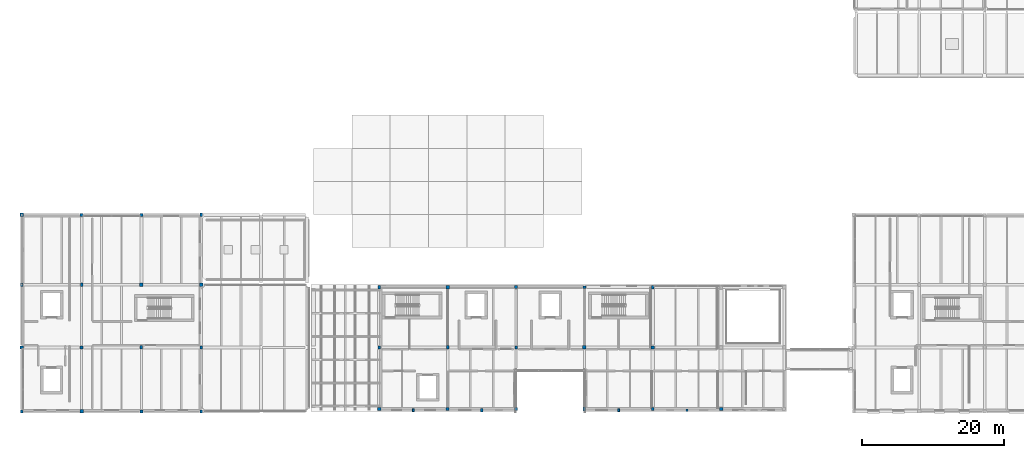
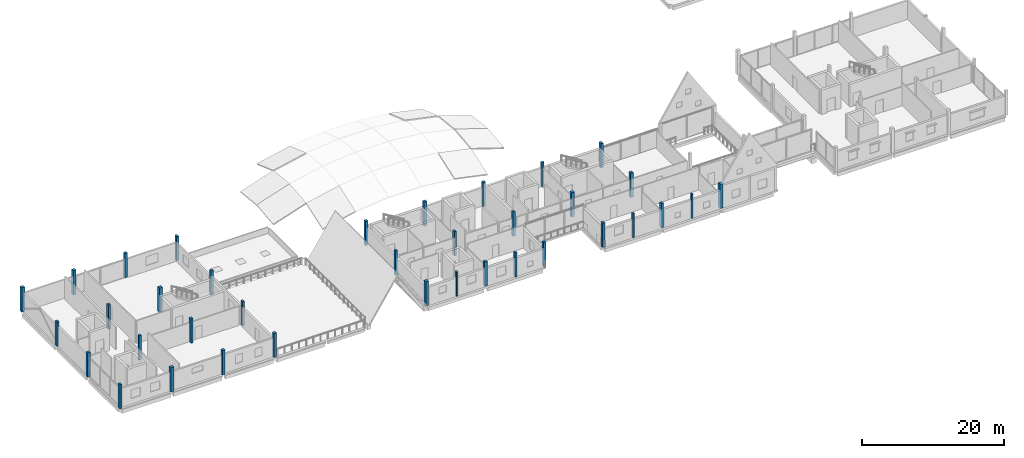
# One storey, part 1 of 35: 36 columns.
"""IFC4 building model written with IfcOpenShell, lengths in metres."""

from ifc_helpers import new_model, si_unit, direction, frame, origin, origin_2d, place, context, subcontext, project, spatial, rectangle, extrude, material, material_profile, profile_set, type_object, element, save


model = new_model("IFC4")

# Units and contexts
model_context = context("Model", 3, precision=1e-05, world=origin(), true_north=direction((0.0, 1.0)))
body_context = subcontext(model_context, "Body", "Model", "MODEL_VIEW")
ifc_project = project(units=[si_unit("LENGTHUNIT", "METRE"), si_unit("AREAUNIT", "SQUARE_METRE"), si_unit("VOLUMEUNIT", "CUBIC_METRE"), si_unit("PLANEANGLEUNIT", "RADIAN"), si_unit("MASSUNIT", "GRAM", prefix="KILO")], contexts=[model_context])

# Site, building, storey
site_placement = place(None, origin())
site = spatial("IfcSite", under=ifc_project, at=site_placement, CompositionType="ELEMENT")
building_placement = place(site_placement, origin())
building = spatial("IfcBuilding", under=site, at=building_placement, Name="Birchvale Park Specialist Clinic", CompositionType="ELEMENT")
storey_placement = place(building_placement, frame((0.0, 0.0, 13.800048828125)))
storey = spatial("IfcBuildingStorey", under=building, at=storey_placement, Name="L03", CompositionType="ELEMENT", Elevation=13.800048828125)

# Columns
ifc_material = material(Name="Concrete C40/50", Category="concrete")
ifc_material_profile_1 = material_profile(ifc_material, rectangle(XDim=0.47998046875, YDim=0.47998046875, at=origin_2d()), Name="RC-480x480")
ifc_profile_set_1 = profile_set([ifc_material_profile_1], Name="Concrete C40/50")
column_type_1 = type_object("IfcColumnType", Name="COL-EXT-C05", PredefinedType="COLUMN", material=ifc_profile_set_1)
for number, where, z_axis, x_axis, name in (
    (1, (61.39990234375, 17.14990234375, 0.0), (0.0, 0.0, 1.0), (1.0, 0.0, 0.0), "V4 L03 column 1"),
    (2, (71.0, 34.25, 0.0), (0.0, 0.0, 1.0), (1.0, 0.0, 0.0), "V4 L03 column 6"),
    (3, (109.39990234375, 17.14990234375, 0.0), (0.0, 0.0, 1.0), (1.0, 0.0, 0.0), "V4 L03 column 16"),
):
    element("IfcColumn", number, at=place(storey_placement, frame(where, z_axis=z_axis, x_axis=x_axis)), inside=storey, type_object=column_type_1, Name=name, PredefinedType="COLUMN", context=body_context, shape_type="SweptSolid", body=[
        extrude(rectangle(XDim=0.47998046875, YDim=0.47998046875, at=origin_2d()), origin(), (0.0, 0.0, 1.0), 4.199951171875),
    ])
ifc_material_profile_2 = material_profile(ifc_material, rectangle(XDim=0.429931640625, YDim=0.429931640625, at=origin_2d()), Name="RC-430x430")
ifc_profile_set_2 = profile_set([ifc_material_profile_2], Name="Concrete C40/50")
column_type_2 = type_object("IfcColumnType", Name="COL-EXT-C06", PredefinedType="COLUMN", material=ifc_profile_set_2)
for number, where, z_axis, x_axis, name in (
    (4, (71.0, 17.14990234375, 0.0), (0.0, 0.0, 1.0), (1.0, 0.0, 0.0), "V4 L03 column 4"),
    (5, (80.60009765625, 34.25, 0.0), (0.0, 0.0, 1.0), (1.0, 0.0, 0.0), "V4 L03 column 9"),
):
    element("IfcColumn", number, at=place(storey_placement, frame(where, z_axis=z_axis, x_axis=x_axis)), inside=storey, type_object=column_type_2, Name=name, PredefinedType="COLUMN", context=body_context, shape_type="SweptSolid", body=[
        extrude(rectangle(XDim=0.429931640625, YDim=0.429931640625, at=origin_2d()), origin(), (0.0, 0.0, 1.0), 4.199951171875),
    ])
ifc_material_profile_3 = material_profile(ifc_material, rectangle(XDim=0.3798828125, YDim=0.3798828125, at=origin_2d()), Name="RC-380x380")
ifc_profile_set_3 = profile_set([ifc_material_profile_3], Name="Concrete C40/50")
column_type_3 = type_object("IfcColumnType", Name="COL-EXT-C07", PredefinedType="COLUMN", material=ifc_profile_set_3)
for number, where, z_axis, x_axis, name in (
    (6, (80.60009765625, 17.14990234375, 0.0), (0.0, 0.0, 1.0), (1.0, 0.0, 0.0), "V4 L03 column 7"),
    (7, (90.199951171875, 34.25, 0.0), (0.0, 0.0, 1.0), (1.0, 0.0, 0.0), "V4 L03 column 12"),
):
    element("IfcColumn", number, at=place(storey_placement, frame(where, z_axis=z_axis, x_axis=x_axis)), inside=storey, type_object=column_type_3, Name=name, PredefinedType="COLUMN", context=body_context, shape_type="SweptSolid", body=[
        extrude(rectangle(XDim=0.3798828125, YDim=0.3798828125, at=origin_2d()), origin(), (0.0, 0.0, 1.0), 4.199951171875),
    ])
ifc_material_profile_4 = material_profile(ifc_material, rectangle(XDim=0.3701171875, YDim=0.52001953125, at=origin_2d()), Name="RC-370x520")
ifc_profile_set_4 = profile_set([ifc_material_profile_4], Name="Concrete C40/50")
column_type_4 = type_object("IfcColumnType", Name="COL-EXT-C11", PredefinedType="COLUMN", material=ifc_profile_set_4)
for number, where, z_axis, x_axis, name in (
    (8, (90.199951171875, 17.14990234375, 0.0), (0.0, 0.0, 1.0), (1.0, 0.0, 0.0), "V4 L03 column 10"),
    (9, (99.800048828125, 34.25, 0.0), (0.0, 0.0, 1.0), (1.0, 0.0, 0.0), "V4 L03 column 15"),
):
    element("IfcColumn", number, at=place(storey_placement, frame(where, z_axis=z_axis, x_axis=x_axis)), inside=storey, type_object=column_type_4, Name=name, PredefinedType="COLUMN", context=body_context, shape_type="SweptSolid", body=[
        extrude(rectangle(XDim=0.3701171875, YDim=0.52001953125, at=origin_2d()), origin(), (0.0, 0.0, 1.0), 4.199951171875),
    ])
ifc_material_profile_5 = material_profile(ifc_material, rectangle(XDim=0.3701171875, YDim=0.47998046875, at=origin_2d()), Name="RC-370x480")
ifc_profile_set_5 = profile_set([ifc_material_profile_5], Name="Concrete C40/50")
column_type_5 = type_object("IfcColumnType", Name="COL-EXT-C12", PredefinedType="COLUMN", material=ifc_profile_set_5)
for number, where, z_axis, x_axis, name in (
    (10, (61.39990234375, 34.25, 0.0), (0.0, 0.0, 1.0), (1.0, 0.0, 0.0), "V4 L03 column 3"),
    (11, (99.800048828125, 17.14990234375, 0.0), (0.0, 0.0, 1.0), (1.0, 0.0, 0.0), "V4 L03 column 13"),
):
    element("IfcColumn", number, at=place(storey_placement, frame(where, z_axis=z_axis, x_axis=x_axis)), inside=storey, type_object=column_type_5, Name=name, PredefinedType="COLUMN", context=body_context, shape_type="SweptSolid", body=[
        extrude(rectangle(XDim=0.3701171875, YDim=0.47998046875, at=origin_2d()), origin(), (0.0, 0.0, 1.0), 4.199951171875),
    ])
ifc_material_profile_6 = material_profile(ifc_material, rectangle(XDim=0.5, YDim=0.5, at=origin_2d()), Name="RC-500x500")
ifc_profile_set_6 = profile_set([ifc_material_profile_6], Name="Concrete C40/50")
column_type_6 = type_object("IfcColumnType", Name="COL-INT-C05", PredefinedType="COLUMN", material=ifc_profile_set_6)
for number, where, z_axis, x_axis, name in (
    (12, (11.199951171875, 44.39990234375, 0.0), (0.0, 0.0, 1.0), (1.0, 0.0, 0.0), "V2 L03 column 4"),
    (13, (19.60009765625, 16.800048828125, 0.0), (0.0, 0.0, 1.0), (1.0, 0.0, 0.0), "V2 L03 column 5"),
    (14, (28.0, 34.60009765625, 0.0), (0.0, 0.0, 1.0), (1.0, 0.0, 0.0), "V2 L03 column 11"),
    (15, (90.199951171875, 25.800048828125, 0.0), (0.0, 0.0, 1.0), (1.0, 0.0, 0.0), "V4 L03 column 11"),
):
    element("IfcColumn", number, at=place(storey_placement, frame(where, z_axis=z_axis, x_axis=x_axis)), inside=storey, type_object=column_type_6, Name=name, PredefinedType="COLUMN", context=body_context, shape_type="SweptSolid", body=[
        extrude(rectangle(XDim=0.5, YDim=0.5, at=origin_2d()), origin(), (0.0, 0.0, 1.0), 4.199951171875),
    ])
ifc_material_profile_7 = material_profile(ifc_material, rectangle(XDim=0.449951171875, YDim=0.449951171875, at=origin_2d()), Name="RC-450x450")
ifc_profile_set_7 = profile_set([ifc_material_profile_7], Name="Concrete C40/50")
column_type_7 = type_object("IfcColumnType", Name="COL-INT-C06", PredefinedType="COLUMN", material=ifc_profile_set_7)
for number, where, z_axis, x_axis, name in (
    (16, (11.199951171875, 25.800048828125, 0.0), (0.0, 0.0, 1.0), (1.0, 0.0, 0.0), "V2 L03 column 2"),
    (17, (19.60009765625, 44.39990234375, 0.0), (0.0, 0.0, 1.0), (1.0, 0.0, 0.0), "V2 L03 column 8"),
    (18, (28.0, 16.800048828125, 0.0), (0.0, 0.0, 1.0), (1.0, 0.0, 0.0), "V2 L03 column 9"),
    (19, (36.39990234375, 34.60009765625, 0.0), (0.0, 0.0, 1.0), (1.0, 0.0, 0.0), "V2 L03 column 15"),
    (20, (99.800048828125, 25.800048828125, 0.0), (0.0, 0.0, 1.0), (1.0, 0.0, 0.0), "V4 L03 column 14"),
):
    element("IfcColumn", number, at=place(storey_placement, frame(where, z_axis=z_axis, x_axis=x_axis)), inside=storey, type_object=column_type_7, Name=name, PredefinedType="COLUMN", context=body_context, shape_type="SweptSolid", body=[
        extrude(rectangle(XDim=0.449951171875, YDim=0.449951171875, at=origin_2d()), origin(), (0.0, 0.0, 1.0), 4.199951171875),
    ])
ifc_material_profile_8 = material_profile(ifc_material, rectangle(XDim=0.39990234375, YDim=0.39990234375, at=origin_2d()), Name="RC-400x400")
ifc_profile_set_8 = profile_set([ifc_material_profile_8], Name="Concrete C40/50")
column_type_8 = type_object("IfcColumnType", Name="COL-INT-C07", PredefinedType="COLUMN", material=ifc_profile_set_8)
for number, where, z_axis, x_axis, name in (
    (21, (19.60009765625, 25.800048828125, 0.0), (0.0, 0.0, 1.0), (1.0, 0.0, 0.0), "V2 L03 column 6"),
    (22, (28.0, 44.39990234375, 0.0), (0.0, 0.0, 1.0), (1.0, 0.0, 0.0), "V2 L03 column 12"),
    (23, (36.39990234375, 16.800048828125, 0.0), (0.0, 0.0, 1.0), (1.0, 0.0, 0.0), "V2 L03 column 13"),
    (24, (61.39990234375, 25.800048828125, 0.0), (0.0, 0.0, 1.0), (1.0, 0.0, 0.0), "V4 L03 column 2"),
):
    element("IfcColumn", number, at=place(storey_placement, frame(where, z_axis=z_axis, x_axis=x_axis)), inside=storey, type_object=column_type_8, Name=name, PredefinedType="COLUMN", context=body_context, shape_type="SweptSolid", body=[
        extrude(rectangle(XDim=0.39990234375, YDim=0.39990234375, at=origin_2d()), origin(), (0.0, 0.0, 1.0), 4.199951171875),
    ])
ifc_material_profile_9 = material_profile(ifc_material, rectangle(XDim=0.35009765625, YDim=0.5, at=origin_2d()), Name="RC-350x500")
ifc_profile_set_9 = profile_set([ifc_material_profile_9], Name="Concrete C40/50")
column_type_9 = type_object("IfcColumnType", Name="COL-INT-C11", PredefinedType="COLUMN", material=ifc_profile_set_9)
for number, where, z_axis, x_axis, name in (
    (25, (11.199951171875, 34.60009765625, 0.0), (0.0, 0.0, 1.0), (1.0, 0.0, 0.0), "V2 L03 column 3"),
    (26, (28.0, 25.800048828125, 0.0), (0.0, 0.0, 1.0), (1.0, 0.0, 0.0), "V2 L03 column 10"),
    (27, (36.39990234375, 44.39990234375, 0.0), (0.0, 0.0, 1.0), (1.0, 0.0, 0.0), "V2 L03 column 16"),
    (28, (71.0, 25.800048828125, 0.0), (0.0, 0.0, 1.0), (1.0, 0.0, 0.0), "V4 L03 column 5"),
):
    element("IfcColumn", number, at=place(storey_placement, frame(where, z_axis=z_axis, x_axis=x_axis)), inside=storey, type_object=column_type_9, Name=name, PredefinedType="COLUMN", context=body_context, shape_type="SweptSolid", body=[
        extrude(rectangle(XDim=0.35009765625, YDim=0.5, at=origin_2d()), origin(), (0.0, 0.0, 1.0), 4.199951171875),
    ])
ifc_material_profile_10 = material_profile(ifc_material, rectangle(XDim=0.35009765625, YDim=0.449951171875, at=origin_2d()), Name="RC-350x450")
ifc_profile_set_10 = profile_set([ifc_material_profile_10], Name="Concrete C40/50")
column_type_10 = type_object("IfcColumnType", Name="COL-INT-C12", PredefinedType="COLUMN", material=ifc_profile_set_10)
for number, where, z_axis, x_axis, name in (
    (29, (11.199951171875, 16.800048828125, 0.0), (0.0, 0.0, 1.0), (1.0, 0.0, 0.0), "V2 L03 column 1"),
    (30, (19.60009765625, 34.60009765625, 0.0), (0.0, 0.0, 1.0), (1.0, 0.0, 0.0), "V2 L03 column 7"),
    (31, (36.39990234375, 25.800048828125, 0.0), (0.0, 0.0, 1.0), (1.0, 0.0, 0.0), "V2 L03 column 14"),
    (32, (80.60009765625, 25.800048828125, 0.0), (0.0, 0.0, 1.0), (1.0, 0.0, 0.0), "V4 L03 column 8"),
):
    element("IfcColumn", number, at=place(storey_placement, frame(where, z_axis=z_axis, x_axis=x_axis)), inside=storey, type_object=column_type_10, Name=name, PredefinedType="COLUMN", context=body_context, shape_type="SweptSolid", body=[
        extrude(rectangle(XDim=0.35009765625, YDim=0.449951171875, at=origin_2d()), origin(), (0.0, 0.0, 1.0), 4.199951171875),
    ])
ifc_material_profile_11 = material_profile(ifc_material, rectangle(XDim=0.320068359375, YDim=0.43994140625, at=origin_2d()), Name="PIL-320x440")
ifc_profile_set_11 = profile_set([ifc_material_profile_11], Name="Concrete C40/50")
column_type_11 = type_object("IfcColumnType", Name="PIL-PL1", PredefinedType="PILASTER", material=ifc_profile_set_11)
column_1_placement = place(storey_placement, frame((75.800048828125, 16.969970703125, 0.0), z_axis=(0.0, 0.0, 1.0), x_axis=(1.0, 0.0, 0.0)))
element("IfcColumn", 33, at=column_1_placement, inside=storey, type_object=column_type_11, Name="V4 L03 facade pilaster 11", PredefinedType="PILASTER", context=body_context, shape_type="SweptSolid", body=[
    extrude(rectangle(XDim=0.320068359375, YDim=0.43994140625, at=origin_2d()), origin(), (0.0, 0.0, 1.0), 4.199951171875),
])
ifc_material_profile_12 = material_profile(ifc_material, rectangle(XDim=0.280029296875, YDim=0.3798828125, at=origin_2d()), Name="PIL-280x380")
ifc_profile_set_12 = profile_set([ifc_material_profile_12], Name="Concrete C40/50")
column_type_12 = type_object("IfcColumnType", Name="PIL-PL2", PredefinedType="PILASTER", material=ifc_profile_set_12)
for number, where, z_axis, x_axis, name in (
    (34, (66.199951171875, 16.969970703125, 0.0), (0.0, 0.0, 1.0), (1.0, 0.0, 0.0), "V4 L03 facade pilaster 7"),
    (35, (95.0, 16.969970703125, 0.0), (0.0, 0.0, 1.0), (1.0, 0.0, 0.0), "V4 L03 facade pilaster 15"),
):
    element("IfcColumn", number, at=place(storey_placement, frame(where, z_axis=z_axis, x_axis=x_axis)), inside=storey, type_object=column_type_12, Name=name, PredefinedType="PILASTER", context=body_context, shape_type="SweptSolid", body=[
        extrude(rectangle(XDim=0.280029296875, YDim=0.3798828125, at=origin_2d()), origin(), (0.0, 0.0, 1.0), 4.199951171875),
    ])
ifc_material_profile_13 = material_profile(ifc_material, rectangle(XDim=0.25, YDim=0.340087890625, at=origin_2d()), Name="PIL-250x340")
ifc_profile_set_13 = profile_set([ifc_material_profile_13], Name="Concrete C40/50")
column_type_13 = type_object("IfcColumnType", Name="PIL-PL3", PredefinedType="PILASTER", material=ifc_profile_set_13)
column_2_placement = place(storey_placement, frame((104.60009765625, 16.969970703125, 0.0), z_axis=(0.0, 0.0, 1.0), x_axis=(1.0, 0.0, 0.0)))
element("IfcColumn", 36, at=column_2_placement, inside=storey, type_object=column_type_13, Name="V4 L03 facade pilaster 19", PredefinedType="PILASTER", context=body_context, shape_type="SweptSolid", body=[
    extrude(rectangle(XDim=0.25, YDim=0.340087890625, at=origin_2d()), origin(), (0.0, 0.0, 1.0), 4.199951171875),
])

save(model, "model.ifc")
